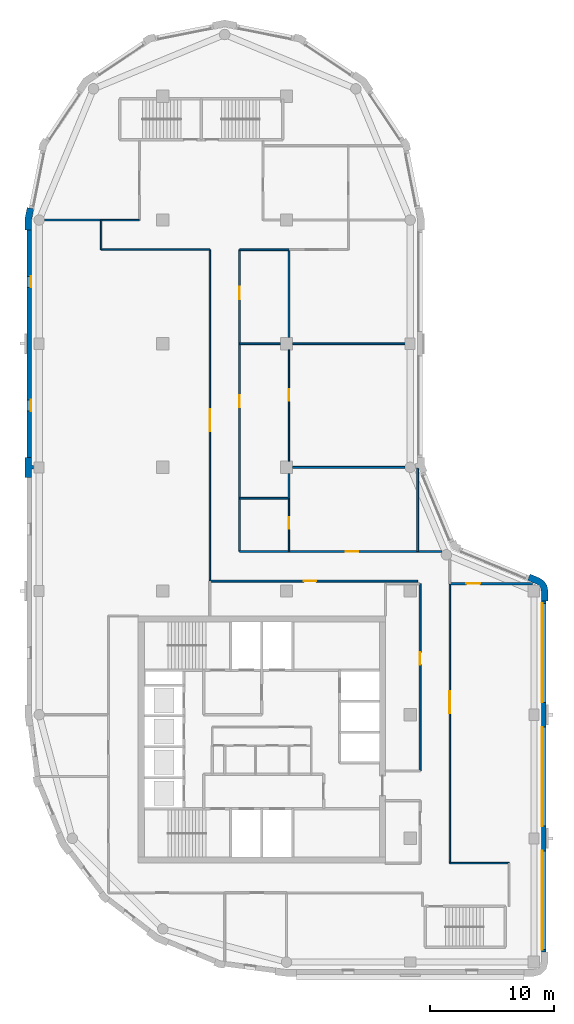
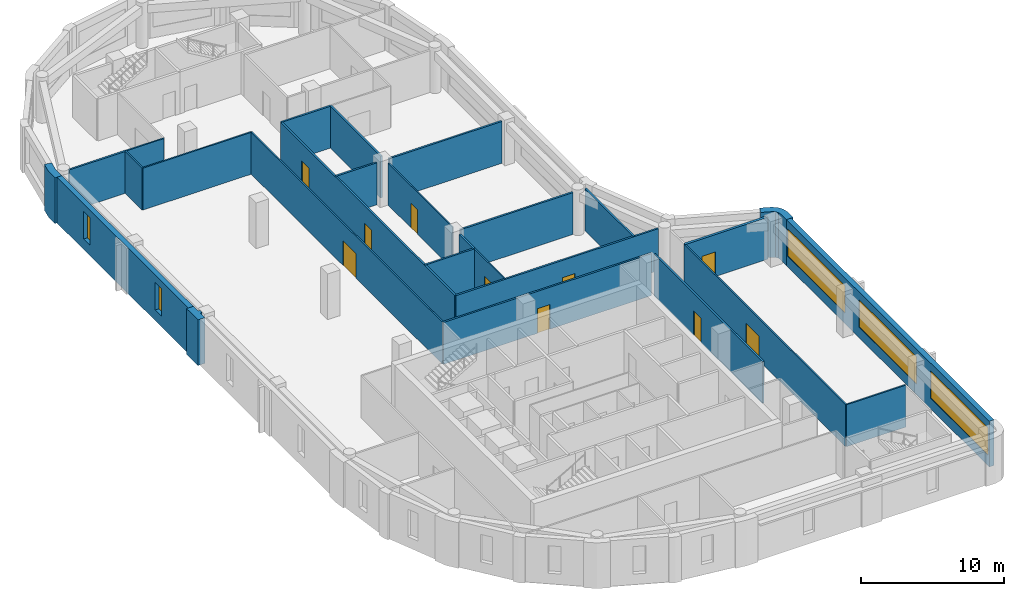
# One storey, part 4 of 8: 27 walls, 10 doors, 5 windows, 15 openings.
"""IFC4 building model written with IfcOpenShell, lengths in metres."""

from ifc_helpers import new_model, si_unit, direction, frame, frame_2d, origin, place, context, subcontext, project, spatial, polyline, rectangle, outline, extrude, material, layer, layer_set, type_object, element, fill, save


model = new_model("IFC4")

# Units and contexts
model_context = context("Model", 3, precision=1e-05, world=origin(), true_north=direction((0.0, 1.0)))
body_context = subcontext(model_context, "Body", "Model", "MODEL_VIEW")
ifc_project = project(units=[si_unit("LENGTHUNIT", "METRE"), si_unit("AREAUNIT", "SQUARE_METRE"), si_unit("VOLUMEUNIT", "CUBIC_METRE"), si_unit("PLANEANGLEUNIT", "RADIAN"), si_unit("MASSUNIT", "GRAM", prefix="KILO")], contexts=[model_context])

# Site, building, storey
site_placement = place(None, origin())
site = spatial("IfcSite", under=ifc_project, at=site_placement, CompositionType="ELEMENT")
building_placement = place(site_placement, origin())
building = spatial("IfcBuilding", under=site, at=building_placement, Name="Qaws Garden Tower", CompositionType="ELEMENT")
storey_placement = place(building_placement, frame((0.0, 0.0, 290.39990234375)))
storey = spatial("IfcBuildingStorey", under=building, at=storey_placement, Name="L70", CompositionType="ELEMENT", Elevation=290.39990234375)

# Wall, opening, door
ifc_material_1 = material(Name="Blockwork", Category="masonry")
ifc_layer_1 = layer(ifc_material_1, 0.199951171875)
ifc_layer_set_1 = layer_set([ifc_layer_1], Name="Blockwork")
wall_type_1 = type_object("IfcWallType", Name="BLOCK WALL 200 EI 60", PredefinedType="PARTITIONING", material=ifc_layer_set_1)
wall_1_placement = place(storey_placement, frame((33.199951171875, 30.60009765625, 0.0), z_axis=(0.0, 0.0, 1.0), x_axis=(1.0, 0.0, 0.0)))
wall_1 = element("IfcWall", 1, at=wall_1_placement, inside=storey, type_object=wall_type_1, Name="O-L70-wall-035", PredefinedType="PARTITIONING", context=body_context, shape_type="SweptSolid", body=[
    extrude(rectangle(XDim=6.677978515625, YDim=0.199951171875, at=frame_2d((3.3388671875, 0.0))), origin(), (0.0, 0.0, 1.0), 3.580078125),
])
opening_1_placement = place(wall_1_placement, frame((1.35009765625, 0.0, 0.0)))
opening_1 = element("IfcOpeningElement", 2, at=opening_1_placement, cuts=wall_1, Name="Opening C518", PredefinedType="OPENING", context=body_context, shape_type="SweptSolid", body=[
    extrude(rectangle(XDim=1.10009765625, YDim=2.10009765625, at=frame_2d((0.550048828125, 1.050048828125))), frame((0.0, 0.10986328125, 0.0), z_axis=(0.0, -1.0, 0.0), x_axis=(1.0, 0.0, 0.0)), (0.0, 0.0, 1.0), 0.219970703125),
])
ifc_material_2 = material(Name="Timber door leaf", Category="wood")
door_type_1 = type_object("IfcDoorType", Name="SERVICE ROOM DOOR 1100 X 2100", OperationType="SINGLE_SWING_LEFT", PredefinedType="DOOR", material=ifc_material_2)
door_1_placement = place(opening_1_placement, origin())
door_1 = element("IfcDoor", 3, at=door_1_placement, inside=storey, type_object=door_type_1, Name="O-L70-door-018", OperationType="SINGLE_SWING_LEFT", OverallHeight=2.10009765625, OverallWidth=1.10009765625, PredefinedType="DOOR", context=body_context, shape_type="SweptSolid", body=[
    extrude(rectangle(XDim=1.10009765625, YDim=2.10009765625, at=frame_2d((0.550048828125, 1.050048828125))), frame((0.0, 0.02490234375, 0.0), z_axis=(0.0, -1.0, 0.0), x_axis=(1.0, 0.0, 0.0)), (0.0, 0.0, 1.0), 0.050048828125),
])
fill(opening_1, door_1)

# Wall
ifc_material_3 = material(Name="Clay facing brick masonry", Category="masonry")
ifc_layer_2 = layer(ifc_material_3, 0.550048828125)
ifc_layer_set_2 = layer_set([ifc_layer_2], Name="Clay facing brick masonry")
wall_type_2 = type_object("IfcWallType", Name="Brick corner pier 550 x 2400", PredefinedType="SOLIDWALL", material=ifc_layer_set_2)
placement = place(storey_placement, origin())
element("IfcWall", 4, at=placement, inside=storey, type_object=wall_type_2, Name="E-L70-pier-05", PredefinedType="SOLIDWALL", context=body_context, shape_type="SweptSolid", body=[
    extrude(outline(polyline([(41.0, 29.199951171875), (41.14990234375, 29.199951171875), (41.14990234375, 30.0), (41.0625, 30.440185546875), (40.813232421875, 30.813232421875), (40.440185546875, 31.0625), (39.700927734375, 31.36865234375), (39.6435546875, 31.22998046875), (39.490478515625, 30.860595703125), (40.2294921875, 30.554443359375), (40.42431640625, 30.42431640625), (40.554443359375, 30.2294921875), (40.60009765625, 30.0), (40.60009765625, 29.199951171875), (41.0, 29.199951171875)])), origin(), (0.0, 0.0, 1.0), 3.900146484375),
])

# Wall, openings, windows
ifc_material_4 = material(Name="Clay facing brick masonry", Category="masonry")
ifc_layer_3 = layer(ifc_material_4, 0.39990234375)
ifc_layer_set_3 = layer_set([ifc_layer_3], Name="Clay facing brick masonry")
wall_type_3 = type_object("IfcWallType", Name="Brick infill wall 400", PredefinedType="SOLIDWALL", material=ifc_layer_set_3)
wall_3_placement = place(storey_placement, frame((40.800048828125, 0.800048828125, 0.0), z_axis=(0.0, 0.0, 1.0), x_axis=(0.0, 1.0, 0.0)))
wall_3 = element("IfcWall", 5, at=wall_3_placement, inside=storey, type_object=wall_type_3, Name="E-L70-infill-02", PredefinedType="SOLIDWALL", context=body_context, shape_type="SweptSolid", body=[
    extrude(rectangle(XDim=28.39990234375, YDim=0.39990234375, at=frame_2d((14.199951171875, 0.0))), origin(), (0.0, 0.0, 1.0), 3.900146484375),
])
opening_2_placement = place(wall_3_placement, frame((0.199951171875, 0.0, 0.89990234375)))
opening_2 = element("IfcOpeningElement", 6, at=opening_2_placement, cuts=wall_3, Name="Opening W01", PredefinedType="OPENING", context=body_context, shape_type="SweptSolid", body=[
    extrude(rectangle(XDim=8.0, YDim=2.35009765625, at=frame_2d((4.0, 1.175048828125))), frame((0.0, 0.2099609375, 0.0), z_axis=(0.0, -1.0, 0.0), x_axis=(1.0, 0.0, 0.0)), (0.0, 0.0, 1.0), 0.419921875),
])
opening_3_placement = place(wall_3_placement, frame((10.199951171875, 0.0, 0.89990234375)))
opening_3 = element("IfcOpeningElement", 7, at=opening_3_placement, cuts=wall_3, Name="Opening W01", PredefinedType="OPENING", context=body_context, shape_type="SweptSolid", body=[
    extrude(rectangle(XDim=8.0, YDim=2.35009765625, at=frame_2d((4.0, 1.175048828125))), frame((0.0, 0.2099609375, 0.0), z_axis=(0.0, -1.0, 0.0), x_axis=(1.0, 0.0, 0.0)), (0.0, 0.0, 1.0), 0.419921875),
])
opening_4_placement = place(wall_3_placement, frame((20.199951171875, 0.0, 0.89990234375)))
opening_4 = element("IfcOpeningElement", 8, at=opening_4_placement, cuts=wall_3, Name="Opening W01", PredefinedType="OPENING", context=body_context, shape_type="SweptSolid", body=[
    extrude(rectangle(XDim=8.0, YDim=2.35009765625, at=frame_2d((4.0, 1.175048828125))), frame((0.0, 0.2099609375, 0.0), z_axis=(0.0, -1.0, 0.0), x_axis=(1.0, 0.0, 0.0)), (0.0, 0.0, 1.0), 0.419921875),
])
ifc_material_5 = material(Name="Aluminium framed window, clear glazing", Category="aluminium")
window_type_1 = type_object("IfcWindowType", Name="Ribbon window 8000 x 2350", PartitioningType="DOUBLE_PANEL_VERTICAL", PredefinedType="WINDOW", material=ifc_material_5)
window_1_placement = place(opening_2_placement, origin())
window_1 = element("IfcWindow", 9, at=window_1_placement, inside=storey, type_object=window_type_1, Name="E-L70-window-02-0", OverallHeight=2.35009765625, OverallWidth=8.0, PartitioningType="SINGLE_PANEL", PredefinedType="WINDOW", context=body_context, shape_type="SweptSolid", body=[
    extrude(rectangle(XDim=8.0, YDim=2.35009765625, at=frame_2d((4.0, 1.175048828125))), frame((0.0, 0.159912109375, 0.0), z_axis=(0.0, -1.0, 0.0), x_axis=(1.0, 0.0, 0.0)), (0.0, 0.0, 1.0), 0.06005859375),
])
fill(opening_2, window_1)
window_2_placement = place(opening_3_placement, origin())
window_2 = element("IfcWindow", 10, at=window_2_placement, inside=storey, type_object=window_type_1, Name="E-L70-window-03-0", OverallHeight=2.35009765625, OverallWidth=8.0, PartitioningType="SINGLE_PANEL", PredefinedType="WINDOW", context=body_context, shape_type="SweptSolid", body=[
    extrude(rectangle(XDim=8.0, YDim=2.35009765625, at=frame_2d((4.0, 1.175048828125))), frame((0.0, 0.159912109375, 0.0), z_axis=(0.0, -1.0, 0.0), x_axis=(1.0, 0.0, 0.0)), (0.0, 0.0, 1.0), 0.06005859375),
])
fill(opening_3, window_2)
window_3_placement = place(opening_4_placement, origin())
window_3 = element("IfcWindow", 11, at=window_3_placement, inside=storey, type_object=window_type_1, Name="E-L70-window-04-0", OverallHeight=2.35009765625, OverallWidth=8.0, PartitioningType="SINGLE_PANEL", PredefinedType="WINDOW", context=body_context, shape_type="SweptSolid", body=[
    extrude(rectangle(XDim=8.0, YDim=2.35009765625, at=frame_2d((4.0, 1.175048828125))), frame((0.0, 0.159912109375, 0.0), z_axis=(0.0, -1.0, 0.0), x_axis=(1.0, 0.0, 0.0)), (0.0, 0.0, 1.0), 0.06005859375),
])
fill(opening_4, window_3)

wall_4_placement = place(storey_placement, frame((-0.800048828125, 59.199951171875, 0.0), z_axis=(0.0, 0.0, 1.0), x_axis=(0.0, -1.0, 0.0)))
wall_4 = element("IfcWall", 12, at=wall_4_placement, inside=storey, type_object=wall_type_3, Name="E-L70-infill-17", PredefinedType="SOLIDWALL", context=body_context, shape_type="SweptSolid", body=[
    extrude(rectangle(XDim=18.39990234375, YDim=0.39990234375, at=frame_2d((9.199951171875, 0.0))), origin(), (0.0, 0.0, 1.0), 3.900146484375),
])
opening_5_placement = place(wall_4_placement, frame((3.75, 0.0, 0.89990234375)))
opening_5 = element("IfcOpeningElement", 13, at=opening_5_placement, cuts=wall_4, Name="Opening W09", PredefinedType="OPENING", context=body_context, shape_type="SweptSolid", body=[
    extrude(rectangle(XDim=0.89990234375, YDim=2.35009765625, at=frame_2d((0.449951171875, 1.175048828125))), frame((0.0, 0.2099609375, 0.0), z_axis=(0.0, -1.0, 0.0), x_axis=(1.0, 0.0, 0.0)), (0.0, 0.0, 1.0), 0.419921875),
])
opening_6_placement = place(wall_4_placement, frame((13.75, 0.0, 0.89990234375)))
opening_6 = element("IfcOpeningElement", 14, at=opening_6_placement, cuts=wall_4, Name="Opening W09", PredefinedType="OPENING", context=body_context, shape_type="SweptSolid", body=[
    extrude(rectangle(XDim=0.89990234375, YDim=2.35009765625, at=frame_2d((0.449951171875, 1.175048828125))), frame((0.0, 0.2099609375, 0.0), z_axis=(0.0, -1.0, 0.0), x_axis=(1.0, 0.0, 0.0)), (0.0, 0.0, 1.0), 0.419921875),
])
ifc_material_6 = material(Name="Aluminium framed window, clear glazing", Category="aluminium")
window_type_2 = type_object("IfcWindowType", Name="Slit window 900 x 2350", PartitioningType="SINGLE_PANEL", PredefinedType="WINDOW", material=ifc_material_6)
window_4_placement = place(opening_5_placement, origin())
window_4 = element("IfcWindow", 15, at=window_4_placement, inside=storey, type_object=window_type_2, Name="E-L70-window-17-0", OverallHeight=2.35009765625, OverallWidth=0.89990234375, PartitioningType="SINGLE_PANEL", PredefinedType="WINDOW", context=body_context, shape_type="SweptSolid", body=[
    extrude(rectangle(XDim=0.89990234375, YDim=2.35009765625, at=frame_2d((0.449951171875, 1.175048828125))), frame((0.0, 0.159912109375, 0.0), z_axis=(0.0, -1.0, 0.0), x_axis=(1.0, 0.0, 0.0)), (0.0, 0.0, 1.0), 0.06005859375),
])
fill(opening_5, window_4)
window_5_placement = place(opening_6_placement, origin())
window_5 = element("IfcWindow", 16, at=window_5_placement, inside=storey, type_object=window_type_2, Name="E-L70-window-18-0", OverallHeight=2.35009765625, OverallWidth=0.89990234375, PartitioningType="SINGLE_PANEL", PredefinedType="WINDOW", context=body_context, shape_type="SweptSolid", body=[
    extrude(rectangle(XDim=0.89990234375, YDim=2.35009765625, at=frame_2d((0.449951171875, 1.175048828125))), frame((0.0, 0.159912109375, 0.0), z_axis=(0.0, -1.0, 0.0), x_axis=(1.0, 0.0, 0.0)), (0.0, 0.0, 1.0), 0.06005859375),
])
fill(opening_6, window_5)

# Walls
ifc_material_7 = material(Name="Clay facing brick masonry", Category="masonry")
ifc_layer_4 = layer(ifc_material_7, 0.550048828125)
ifc_layer_set_4 = layer_set([ifc_layer_4], Name="Clay facing brick masonry")
wall_type_4 = type_object("IfcWallType", Name="Brick pier 550 x 1600", PredefinedType="SOLIDWALL", material=ifc_layer_set_4)
element("IfcWall", 17, at=placement, inside=storey, type_object=wall_type_4, Name="E-L70-pier-17", PredefinedType="SOLIDWALL", context=body_context, shape_type="SweptSolid", body=[
    extrude(outline(polyline([(-0.82470703125, 60.979736328125), (-0.971923828125, 61.009033203125), (-1.14990234375, 60.11328125), (-1.14990234375, 59.199951171875), (-1.0, 59.199951171875), (-0.60009765625, 59.199951171875), (-0.60009765625, 60.05908203125), (-0.432373046875, 60.901611328125), (-0.82470703125, 60.979736328125)])), origin(), (0.0, 0.0, 1.0), 3.900146484375),
])
element("IfcWall", 18, at=placement, inside=storey, type_object=wall_type_4, Name="E-L70-pier-19", PredefinedType="SOLIDWALL", context=body_context, shape_type="SweptSolid", body=[
    extrude(outline(polyline([(-0.60009765625, 39.199951171875), (-0.60009765625, 39.85009765625), (-0.449951171875, 39.85009765625), (-0.449951171875, 40.14990234375), (-0.60009765625, 40.14990234375), (-0.60009765625, 40.800048828125), (-1.0, 40.800048828125), (-1.14990234375, 40.800048828125), (-1.14990234375, 40.0), (-1.14990234375, 39.199951171875), (-1.0, 39.199951171875), (-0.60009765625, 39.199951171875)])), origin(), (0.0, 0.0, 1.0), 3.900146484375),
])
ifc_material_8 = material(Name="Glass and aluminium framing", Category="aluminium")
ifc_layer_5 = layer(ifc_material_8, 0.1201171875)
ifc_layer_set_5 = layer_set([ifc_layer_5], Name="Glass and aluminium framing")
wall_type_5 = type_object("IfcWallType", Name="GLAZED PARTITION 120 EI 30", PredefinedType="PARTITIONING", material=ifc_layer_set_5)
wall_7_placement = place(storey_placement, frame((5.0, 57.60009765625, 0.0), z_axis=(0.0, 0.0, 1.0), x_axis=(0.0, 1.0, 0.0)))
element("IfcWall", 19, at=wall_7_placement, inside=storey, type_object=wall_type_5, Name="O-L70-wall-036", PredefinedType="PARTITIONING", context=body_context, shape_type="SweptSolid", body=[
    extrude(rectangle(XDim=2.39990234375, YDim=0.1201171875, at=frame_2d((1.199951171875, 0.0))), origin(), (0.0, 0.0, 1.0), 3.580078125),
])

# Wall, opening, door
wall_8_placement = place(storey_placement, frame((13.800048828125, 30.800048828125, 0.0), z_axis=(0.0, 0.0, 1.0), x_axis=(0.0, 1.0, 0.0)))
wall_8 = element("IfcWall", 20, at=wall_8_placement, inside=storey, type_object=wall_type_5, Name="O-L70-wall-040", PredefinedType="PARTITIONING", context=body_context, shape_type="SweptSolid", body=[
    extrude(rectangle(XDim=26.800048828125, YDim=0.1201171875, at=frame_2d((13.39990234375, 0.0))), origin(), (0.0, 0.0, 1.0), 3.580078125),
])
opening_7_placement = place(wall_8_placement, frame((12.10009765625, 0.0, 0.0)))
opening_7 = element("IfcOpeningElement", 21, at=opening_7_placement, cuts=wall_8, Name="Opening C514", PredefinedType="OPENING", context=body_context, shape_type="SweptSolid", body=[
    extrude(rectangle(XDim=1.800048828125, YDim=2.10009765625, at=frame_2d((0.89990234375, 1.050048828125))), frame((0.0, 0.070068359375, 0.0), z_axis=(0.0, -1.0, 0.0), x_axis=(1.0, 0.0, 0.0)), (0.0, 0.0, 1.0), 0.14013671875),
])
ifc_material_9 = material(Name="Timber door leaf", Category="wood")
door_type_2 = type_object("IfcDoorType", Name="DOUBLE DOOR 1800 X 2100", OperationType="DOUBLE_DOOR_SINGLE_SWING", PredefinedType="DOOR", material=ifc_material_9)
door_2_placement = place(opening_7_placement, origin())
door_2 = element("IfcDoor", 22, at=door_2_placement, inside=storey, type_object=door_type_2, Name="O-L70-door-014", OperationType="DOUBLE_DOOR_SINGLE_SWING", OverallHeight=2.10009765625, OverallWidth=1.800048828125, PredefinedType="DOOR", context=body_context, shape_type="SweptSolid", body=[
    extrude(rectangle(XDim=1.800048828125, YDim=2.10009765625, at=frame_2d((0.89990234375, 1.050048828125))), frame((0.0, 0.02490234375, 0.0), z_axis=(0.0, -1.0, 0.0), x_axis=(1.0, 0.0, 0.0)), (0.0, 0.0, 1.0), 0.050048828125),
])
fill(opening_7, door_2)

wall_9_placement = place(storey_placement, frame((33.199951171875, 8.0, 0.0), z_axis=(0.0, 0.0, 1.0), x_axis=(0.0, 1.0, 0.0)))
wall_9 = element("IfcWall", 23, at=wall_9_placement, inside=storey, type_object=wall_type_5, Name="O-L70-wall-044", PredefinedType="PARTITIONING", context=body_context, shape_type="SweptSolid", body=[
    extrude(rectangle(XDim=22.60009765625, YDim=0.1201171875, at=frame_2d((11.300048828125, 0.0))), origin(), (0.0, 0.0, 1.0), 3.580078125),
])
opening_8_placement = place(wall_9_placement, frame((12.10009765625, 0.0, 0.0)))
opening_8 = element("IfcOpeningElement", 24, at=opening_8_placement, cuts=wall_9, Name="Opening C512", PredefinedType="OPENING", context=body_context, shape_type="SweptSolid", body=[
    extrude(rectangle(XDim=1.800048828125, YDim=2.10009765625, at=frame_2d((0.89990234375, 1.050048828125))), frame((0.0, 0.070068359375, 0.0), z_axis=(0.0, -1.0, 0.0), x_axis=(1.0, 0.0, 0.0)), (0.0, 0.0, 1.0), 0.14013671875),
])
door_3_placement = place(opening_8_placement, frame((1.800048828125, 0.0, 0.0), z_axis=(0.0, 0.0, 1.0), x_axis=(-1.0, 0.0, 0.0)))
door_3 = element("IfcDoor", 25, at=door_3_placement, inside=storey, type_object=door_type_2, Name="O-L70-door-012", OperationType="DOUBLE_DOOR_SINGLE_SWING", OverallHeight=2.10009765625, OverallWidth=1.800048828125, PredefinedType="DOOR", context=body_context, shape_type="SweptSolid", body=[
    extrude(rectangle(XDim=1.800048828125, YDim=2.10009765625, at=frame_2d((0.89990234375, 1.050048828125))), frame((0.0, 0.02490234375, 0.0), z_axis=(0.0, -1.0, 0.0), x_axis=(1.0, 0.0, 0.0)), (0.0, 0.0, 1.0), 0.050048828125),
])
fill(opening_8, door_3)

# Walls
wall_10_placement = place(storey_placement, frame((33.199951171875, 8.0, 0.0), z_axis=(0.0, 0.0, 1.0), x_axis=(1.0, 0.0, 0.0)))
element("IfcWall", 26, at=wall_10_placement, inside=storey, type_object=wall_type_5, Name="O-L70-wall-048", PredefinedType="PARTITIONING", context=body_context, shape_type="SweptSolid", body=[
    extrude(rectangle(XDim=4.800048828125, YDim=0.1201171875, at=frame_2d((2.39990234375, 0.0))), origin(), (0.0, 0.0, 1.0), 3.580078125),
])
wall_11_placement = place(storey_placement, frame((5.0, 57.60009765625, 0.0), z_axis=(0.0, 0.0, 1.0), x_axis=(1.0, 0.0, 0.0)))
element("IfcWall", 27, at=wall_11_placement, inside=storey, type_object=wall_type_5, Name="O-L70-wall-050", PredefinedType="PARTITIONING", context=body_context, shape_type="SweptSolid", body=[
    extrude(rectangle(XDim=8.800048828125, YDim=0.1201171875, at=frame_2d((4.39990234375, 0.0))), origin(), (0.0, 0.0, 1.0), 3.580078125),
])
wall_12_placement = place(storey_placement, frame((5.0, 60.0, 0.0), z_axis=(0.0, 0.0, 1.0), x_axis=(1.0, 0.0, 0.0)))
element("IfcWall", 28, at=wall_12_placement, inside=storey, type_object=wall_type_5, Name="O-L70-wall-052", PredefinedType="PARTITIONING", context=body_context, shape_type="SweptSolid", body=[
    extrude(rectangle(XDim=3.10009765625, YDim=0.1201171875, at=frame_2d((1.550048828125, 0.0))), origin(), (0.0, 0.0, 1.0), 3.580078125),
])

# Wall, opening, door
ifc_material_10 = material(Name="Gypsum board partition")
ifc_layer_6 = layer(ifc_material_10, 0.10009765625)
ifc_layer_set_6 = layer_set([ifc_layer_6], Name="Gypsum board partition")
wall_type_6 = type_object("IfcWallType", Name="PARTITION 100", PredefinedType="PARTITIONING", material=ifc_layer_set_6)
wall_13_placement = place(storey_placement, frame((20.199951171875, 33.199951171875, 0.0), z_axis=(0.0, 0.0, 1.0), x_axis=(0.0, 1.0, 0.0)))
wall_13 = element("IfcWall", 29, at=wall_13_placement, inside=storey, type_object=wall_type_6, Name="O-L70-wall-001", PredefinedType="PARTITIONING", context=body_context, shape_type="SweptSolid", body=[
    extrude(rectangle(XDim=4.300048828125, YDim=0.10009765625, at=frame_2d((2.14990234375, 0.0))), origin(), (0.0, 0.0, 1.0), 3.580078125),
])
opening_9_placement = place(wall_13_placement, frame((1.824951171875, 0.0, 0.0)))
opening_9 = element("IfcOpeningElement", 30, at=opening_9_placement, cuts=wall_13, Name="Opening C519", PredefinedType="OPENING", context=body_context, shape_type="SweptSolid", body=[
    extrude(rectangle(XDim=0.949951171875, YDim=2.10009765625, at=frame_2d((0.47509765625, 1.050048828125))), frame((0.0, 0.06005859375, 0.0), z_axis=(0.0, -1.0, 0.0), x_axis=(1.0, 0.0, 0.0)), (0.0, 0.0, 1.0), 0.1201171875),
])
ifc_material_11 = material(Name="Timber and glass door leaf", Category="wood")
door_type_3 = type_object("IfcDoorType", Name="GLAZED DOOR 950 X 2100", OperationType="SINGLE_SWING_LEFT", PredefinedType="DOOR", material=ifc_material_11)
door_4_placement = place(opening_9_placement, origin())
door_4 = element("IfcDoor", 31, at=door_4_placement, inside=storey, type_object=door_type_3, Name="O-L70-door-019", OperationType="SINGLE_SWING_RIGHT", OverallHeight=2.10009765625, OverallWidth=0.949951171875, PredefinedType="DOOR", context=body_context, shape_type="SweptSolid", body=[
    extrude(rectangle(XDim=0.949951171875, YDim=2.10009765625, at=frame_2d((0.47509765625, 1.050048828125))), frame((0.0, 0.02490234375, 0.0), z_axis=(0.0, -1.0, 0.0), x_axis=(1.0, 0.0, 0.0)), (0.0, 0.0, 1.0), 0.050048828125),
])
fill(opening_9, door_4)

wall_14_placement = place(storey_placement, frame((20.199951171875, 40.5, 0.0), z_axis=(0.0, 0.0, 1.0), x_axis=(0.0, 1.0, 0.0)))
wall_14 = element("IfcWall", 32, at=wall_14_placement, inside=storey, type_object=wall_type_6, Name="O-L70-wall-002", PredefinedType="PARTITIONING", context=body_context, shape_type="SweptSolid", body=[
    extrude(rectangle(XDim=9.0, YDim=0.10009765625, at=frame_2d((4.5, 0.0))), origin(), (0.0, 0.0, 1.0), 3.580078125),
])
opening_10_placement = place(wall_14_placement, frame((4.89990234375, 0.0, 0.0)))
opening_10 = element("IfcOpeningElement", 33, at=opening_10_placement, cuts=wall_14, Name="Opening C516", PredefinedType="OPENING", context=body_context, shape_type="SweptSolid", body=[
    extrude(rectangle(XDim=0.89990234375, YDim=2.10009765625, at=frame_2d((0.449951171875, 1.050048828125))), frame((0.0, 0.06005859375, 0.0), z_axis=(0.0, -1.0, 0.0), x_axis=(1.0, 0.0, 0.0)), (0.0, 0.0, 1.0), 0.1201171875),
])
ifc_material_12 = material(Name="Timber door leaf", Category="wood")
door_type_4 = type_object("IfcDoorType", Name="OFFICE DOOR 900 X 2100", OperationType="SINGLE_SWING_LEFT", PredefinedType="DOOR", material=ifc_material_12)
door_5_placement = place(opening_10_placement, origin())
door_5 = element("IfcDoor", 34, at=door_5_placement, inside=storey, type_object=door_type_4, Name="O-L70-door-016", OperationType="SINGLE_SWING_LEFT", OverallHeight=2.10009765625, OverallWidth=0.89990234375, PredefinedType="DOOR", context=body_context, shape_type="SweptSolid", body=[
    extrude(rectangle(XDim=0.89990234375, YDim=2.10009765625, at=frame_2d((0.449951171875, 1.050048828125))), frame((0.0, 0.02490234375, 0.0), z_axis=(0.0, -1.0, 0.0), x_axis=(1.0, 0.0, 0.0)), (0.0, 0.0, 1.0), 0.050048828125),
])
fill(opening_10, door_5)

# Wall, openings, doors
ifc_material_13 = material(Name="Gypsum board partition")
ifc_layer_7 = layer(ifc_material_13, 0.14990234375)
ifc_layer_set_7 = layer_set([ifc_layer_7], Name="Gypsum board partition")
wall_type_7 = type_object("IfcWallType", Name="PARTITION 150 EI 60", PredefinedType="PARTITIONING", material=ifc_layer_set_7)
wall_15_placement = place(storey_placement, frame((16.199951171875, 33.199951171875, 0.0), z_axis=(0.0, 0.0, 1.0), x_axis=(0.0, 1.0, 0.0)))
wall_15 = element("IfcWall", 35, at=wall_15_placement, inside=storey, type_object=wall_type_7, Name="O-L70-wall-007", PredefinedType="PARTITIONING", context=body_context, shape_type="SweptSolid", body=[
    extrude(rectangle(XDim=24.400146484375, YDim=0.14990234375, at=frame_2d((12.2001953125, 0.0))), origin(), (0.0, 0.0, 1.0), 3.580078125),
])
opening_11_placement = place(wall_15_placement, frame((20.39990234375, 0.0, 0.0)))
opening_11 = element("IfcOpeningElement", 36, at=opening_11_placement, cuts=wall_15, Name="Opening C503", PredefinedType="OPENING", context=body_context, shape_type="SweptSolid", body=[
    extrude(rectangle(XDim=1.0, YDim=2.10009765625, at=frame_2d((0.5, 1.050048828125))), frame((0.0, 0.0849609375, 0.0), z_axis=(0.0, -1.0, 0.0), x_axis=(1.0, 0.0, 0.0)), (0.0, 0.0, 1.0), 0.169921875),
])
opening_12_placement = place(wall_15_placement, frame((11.64990234375, 0.0, 0.0)))
opening_12 = element("IfcOpeningElement", 37, at=opening_12_placement, cuts=wall_15, Name="Opening C515", PredefinedType="OPENING", context=body_context, shape_type="SweptSolid", body=[
    extrude(rectangle(XDim=1.0, YDim=2.10009765625, at=frame_2d((0.5, 1.050048828125))), frame((0.0, 0.0849609375, 0.0), z_axis=(0.0, -1.0, 0.0), x_axis=(1.0, 0.0, 0.0)), (0.0, 0.0, 1.0), 0.169921875),
])
ifc_material_14 = material(Name="Timber door leaf", Category="wood")
door_type_5 = type_object("IfcDoorType", Name="TENANCY ENTRANCE DOOR 1000 X 2100", OperationType="SINGLE_SWING_LEFT", PredefinedType="DOOR", material=ifc_material_14)
door_6_placement = place(opening_11_placement, frame((1.0, 0.0, 0.0), z_axis=(0.0, 0.0, 1.0), x_axis=(-1.0, 0.0, 0.0)))
door_6 = element("IfcDoor", 38, at=door_6_placement, inside=storey, type_object=door_type_5, Name="O-L70-door-003", OperationType="SINGLE_SWING_RIGHT", OverallHeight=2.10009765625, OverallWidth=1.0, PredefinedType="DOOR", context=body_context, shape_type="SweptSolid", body=[
    extrude(rectangle(XDim=1.0, YDim=2.10009765625, at=frame_2d((0.5, 1.050048828125))), frame((0.0, 0.02490234375, 0.0), z_axis=(0.0, -1.0, 0.0), x_axis=(1.0, 0.0, 0.0)), (0.0, 0.0, 1.0), 0.050048828125),
])
fill(opening_11, door_6)
door_7_placement = place(opening_12_placement, frame((1.0, 0.0, 0.0), z_axis=(0.0, 0.0, 1.0), x_axis=(-1.0, 0.0, 0.0)))
door_7 = element("IfcDoor", 39, at=door_7_placement, inside=storey, type_object=door_type_5, Name="O-L70-door-015", OperationType="SINGLE_SWING_RIGHT", OverallHeight=2.10009765625, OverallWidth=1.0, PredefinedType="DOOR", context=body_context, shape_type="SweptSolid", body=[
    extrude(rectangle(XDim=1.0, YDim=2.10009765625, at=frame_2d((0.5, 1.050048828125))), frame((0.0, 0.02490234375, 0.0), z_axis=(0.0, -1.0, 0.0), x_axis=(1.0, 0.0, 0.0)), (0.0, 0.0, 1.0), 0.050048828125),
])
fill(opening_12, door_7)

# Walls
wall_16_placement = place(storey_placement, frame((20.199951171875, 37.5, 0.0), z_axis=(0.0, 0.0, 1.0), x_axis=(0.0, 1.0, 0.0)))
element("IfcWall", 40, at=wall_16_placement, inside=storey, type_object=wall_type_7, Name="O-L70-wall-010", PredefinedType="PARTITIONING", context=body_context, shape_type="SweptSolid", body=[
    extrude(rectangle(XDim=2.0, YDim=0.14990234375, at=frame_2d((1.0, 0.0))), origin(), (0.0, 0.0, 1.0), 3.580078125),
])
wall_17_placement = place(storey_placement, frame((20.199951171875, 50.5, 0.0), z_axis=(0.0, 0.0, 1.0), x_axis=(0.0, 1.0, 0.0)))
element("IfcWall", 41, at=wall_17_placement, inside=storey, type_object=wall_type_7, Name="O-L70-wall-011", PredefinedType="PARTITIONING", context=body_context, shape_type="SweptSolid", body=[
    extrude(rectangle(XDim=7.10009765625, YDim=0.14990234375, at=frame_2d((3.550048828125, 0.0))), origin(), (0.0, 0.0, 1.0), 3.580078125),
])
wall_18_placement = place(storey_placement, frame((30.60009765625, 33.199951171875, 0.0), z_axis=(0.0, 0.0, 1.0), x_axis=(0.0, 1.0, 0.0)))
element("IfcWall", 42, at=wall_18_placement, inside=storey, type_object=wall_type_7, Name="O-L70-wall-013", PredefinedType="PARTITIONING", context=body_context, shape_type="SweptSolid", body=[
    extrude(rectangle(XDim=6.73828125, YDim=0.14990234375, at=frame_2d((3.369140625, 0.0))), origin(), (0.0, 0.0, 1.0), 3.580078125),
])

# Wall, opening, door
wall_19_placement = place(storey_placement, frame((30.800048828125, 15.449951171875, 0.0), z_axis=(0.0, 0.0, 1.0), x_axis=(0.0, 1.0, 0.0)))
wall_19 = element("IfcWall", 43, at=wall_19_placement, inside=storey, type_object=wall_type_7, Name="O-L70-wall-015", PredefinedType="PARTITIONING", context=body_context, shape_type="SweptSolid", body=[
    extrude(rectangle(XDim=15.150146484375, YDim=0.14990234375, at=frame_2d((7.5751953125, 0.0))), origin(), (0.0, 0.0, 1.0), 3.580078125),
])
opening_13_placement = place(wall_19_placement, frame((8.60009765625, 0.0, 0.0)))
opening_13 = element("IfcOpeningElement", 44, at=opening_13_placement, cuts=wall_19, Name="Opening C511", PredefinedType="OPENING", context=body_context, shape_type="SweptSolid", body=[
    extrude(rectangle(XDim=1.0, YDim=2.10009765625, at=frame_2d((0.5, 1.050048828125))), frame((0.0, 0.0849609375, 0.0), z_axis=(0.0, -1.0, 0.0), x_axis=(1.0, 0.0, 0.0)), (0.0, 0.0, 1.0), 0.169921875),
])
door_8_placement = place(opening_13_placement, origin())
door_8 = element("IfcDoor", 45, at=door_8_placement, inside=storey, type_object=door_type_5, Name="O-L70-door-011", OperationType="SINGLE_SWING_RIGHT", OverallHeight=2.10009765625, OverallWidth=1.0, PredefinedType="DOOR", context=body_context, shape_type="SweptSolid", body=[
    extrude(rectangle(XDim=1.0, YDim=2.10009765625, at=frame_2d((0.5, 1.050048828125))), frame((0.0, 0.02490234375, 0.0), z_axis=(0.0, -1.0, 0.0), x_axis=(1.0, 0.0, 0.0)), (0.0, 0.0, 1.0), 0.050048828125),
])
fill(opening_13, door_8)

wall_20_placement = place(storey_placement, frame((13.802001953125, 30.800048828125, 0.0), z_axis=(0.0, 0.0, 1.0), x_axis=(1.0, 0.0, 0.0)))
wall_20 = element("IfcWall", 46, at=wall_20_placement, inside=storey, type_object=wall_type_7, Name="O-L70-wall-024", PredefinedType="PARTITIONING", context=body_context, shape_type="SweptSolid", body=[
    extrude(rectangle(XDim=16.798095703125, YDim=0.14990234375, at=frame_2d((8.39892578125, 0.0))), origin(), (0.0, 0.0, 1.0), 3.580078125),
])
opening_14_placement = place(wall_20_placement, frame((7.60009765625, 0.0, 0.0)))
opening_14 = element("IfcOpeningElement", 47, at=opening_14_placement, cuts=wall_20, Name="Opening C508", PredefinedType="OPENING", context=body_context, shape_type="SweptSolid", body=[
    extrude(rectangle(XDim=1.0, YDim=2.10009765625, at=frame_2d((0.5, 1.050048828125))), frame((0.0, 0.0849609375, 0.0), z_axis=(0.0, -1.0, 0.0), x_axis=(1.0, 0.0, 0.0)), (0.0, 0.0, 1.0), 0.169921875),
])
door_9_placement = place(opening_14_placement, frame((1.0, 0.0, 0.0), z_axis=(0.0, 0.0, 1.0), x_axis=(-1.0, 0.0, 0.0)))
door_9 = element("IfcDoor", 48, at=door_9_placement, inside=storey, type_object=door_type_5, Name="O-L70-door-008", OperationType="SINGLE_SWING_LEFT", OverallHeight=2.10009765625, OverallWidth=1.0, PredefinedType="DOOR", context=body_context, shape_type="SweptSolid", body=[
    extrude(rectangle(XDim=1.0, YDim=2.10009765625, at=frame_2d((0.5, 1.050048828125))), frame((0.0, 0.02490234375, 0.0), z_axis=(0.0, -1.0, 0.0), x_axis=(1.0, 0.0, 0.0)), (0.0, 0.0, 1.0), 0.050048828125),
])
fill(opening_14, door_9)

wall_21_placement = place(storey_placement, frame((16.199951171875, 33.199951171875, 0.0), z_axis=(0.0, 0.0, 1.0), x_axis=(1.0, 0.0, 0.0)))
wall_21 = element("IfcWall", 49, at=wall_21_placement, inside=storey, type_object=wall_type_7, Name="O-L70-wall-025", PredefinedType="PARTITIONING", context=body_context, shape_type="SweptSolid", body=[
    extrude(rectangle(XDim=16.35205078125, YDim=0.14990234375, at=frame_2d((8.176025390625, 0.0))), origin(), (0.0, 0.0, 1.0), 3.580078125),
])
opening_15_placement = place(wall_21_placement, frame((8.60009765625, 0.0, 0.0)))
opening_15 = element("IfcOpeningElement", 50, at=opening_15_placement, cuts=wall_21, Name="Opening C504", PredefinedType="OPENING", context=body_context, shape_type="SweptSolid", body=[
    extrude(rectangle(XDim=1.0, YDim=2.10009765625, at=frame_2d((0.5, 1.050048828125))), frame((0.0, 0.0849609375, 0.0), z_axis=(0.0, -1.0, 0.0), x_axis=(1.0, 0.0, 0.0)), (0.0, 0.0, 1.0), 0.169921875),
])
door_10_placement = place(opening_15_placement, origin())
door_10 = element("IfcDoor", 51, at=door_10_placement, inside=storey, type_object=door_type_5, Name="O-L70-door-004", OperationType="SINGLE_SWING_RIGHT", OverallHeight=2.10009765625, OverallWidth=1.0, PredefinedType="DOOR", context=body_context, shape_type="SweptSolid", body=[
    extrude(rectangle(XDim=1.0, YDim=2.10009765625, at=frame_2d((0.5, 1.050048828125))), frame((0.0, 0.02490234375, 0.0), z_axis=(0.0, -1.0, 0.0), x_axis=(1.0, 0.0, 0.0)), (0.0, 0.0, 1.0), 0.050048828125),
])
fill(opening_15, door_10)

# Walls
wall_22_placement = place(storey_placement, frame((16.199951171875, 37.5, 0.0), z_axis=(0.0, 0.0, 1.0), x_axis=(1.0, 0.0, 0.0)))
element("IfcWall", 52, at=wall_22_placement, inside=storey, type_object=wall_type_7, Name="O-L70-wall-026", PredefinedType="PARTITIONING", context=body_context, shape_type="SweptSolid", body=[
    extrude(rectangle(XDim=4.0, YDim=0.14990234375, at=frame_2d((2.0, 0.0))), origin(), (0.0, 0.0, 1.0), 3.580078125),
])
wall_23_placement = place(storey_placement, frame((20.5, 40.0, 0.0), z_axis=(0.0, 0.0, 1.0), x_axis=(1.0, 0.0, 0.0)))
element("IfcWall", 53, at=wall_23_placement, inside=storey, type_object=wall_type_7, Name="O-L70-wall-027", PredefinedType="PARTITIONING", context=body_context, shape_type="SweptSolid", body=[
    extrude(rectangle(XDim=9.074951171875, YDim=0.14990234375, at=frame_2d((4.53759765625, 0.0))), origin(), (0.0, 0.0, 1.0), 3.580078125),
])
wall_24_placement = place(storey_placement, frame((16.199951171875, 50.0, 0.0), z_axis=(0.0, 0.0, 1.0), x_axis=(1.0, 0.0, 0.0)))
element("IfcWall", 54, at=wall_24_placement, inside=storey, type_object=wall_type_7, Name="O-L70-wall-028", PredefinedType="PARTITIONING", context=body_context, shape_type="SweptSolid", body=[
    extrude(rectangle(XDim=3.300048828125, YDim=0.14990234375, at=frame_2d((1.64990234375, 0.0))), origin(), (0.0, 0.0, 1.0), 3.580078125),
])
wall_25_placement = place(storey_placement, frame((20.5, 50.0, 0.0), z_axis=(0.0, 0.0, 1.0), x_axis=(1.0, 0.0, 0.0)))
element("IfcWall", 55, at=wall_25_placement, inside=storey, type_object=wall_type_7, Name="O-L70-wall-029", PredefinedType="PARTITIONING", context=body_context, shape_type="SweptSolid", body=[
    extrude(rectangle(XDim=9.10009765625, YDim=0.14990234375, at=frame_2d((4.550048828125, 0.0))), origin(), (0.0, 0.0, 1.0), 3.580078125),
])
wall_26_placement = place(storey_placement, frame((16.199951171875, 57.60009765625, 0.0), z_axis=(0.0, 0.0, 1.0), x_axis=(1.0, 0.0, 0.0)))
element("IfcWall", 56, at=wall_26_placement, inside=storey, type_object=wall_type_7, Name="O-L70-wall-030", PredefinedType="PARTITIONING", context=body_context, shape_type="SweptSolid", body=[
    extrude(rectangle(XDim=4.0, YDim=0.14990234375, at=frame_2d((2.0, 0.0))), origin(), (0.0, 0.0, 1.0), 3.580078125),
])
wall_27_placement = place(storey_placement, frame((0.425048828125, 60.0, 0.0), z_axis=(0.0, 0.0, 1.0), x_axis=(1.0, 0.0, 0.0)))
element("IfcWall", 57, at=wall_27_placement, inside=storey, type_object=wall_type_7, Name="O-L70-wall-031", PredefinedType="PARTITIONING", context=body_context, shape_type="SweptSolid", body=[
    extrude(rectangle(XDim=4.574951171875, YDim=0.14990234375, at=frame_2d((2.28759765625, 0.0))), origin(), (0.0, 0.0, 1.0), 3.580078125),
])

save(model, "model.ifc")
